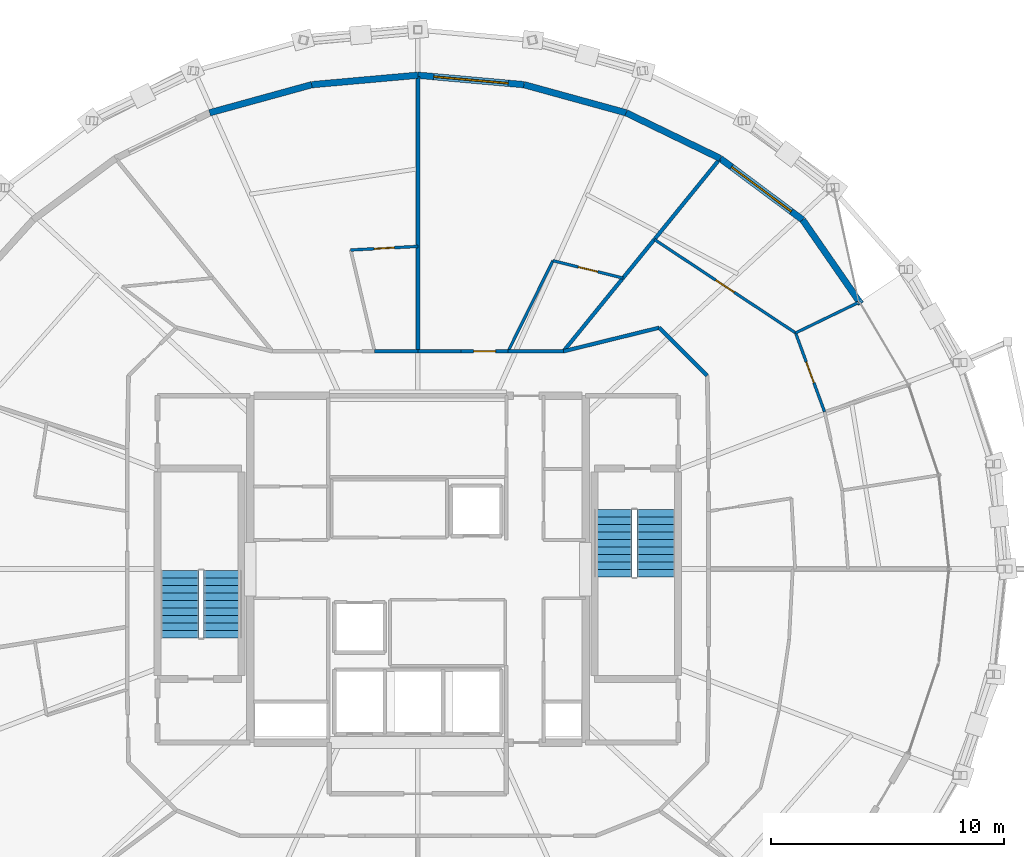
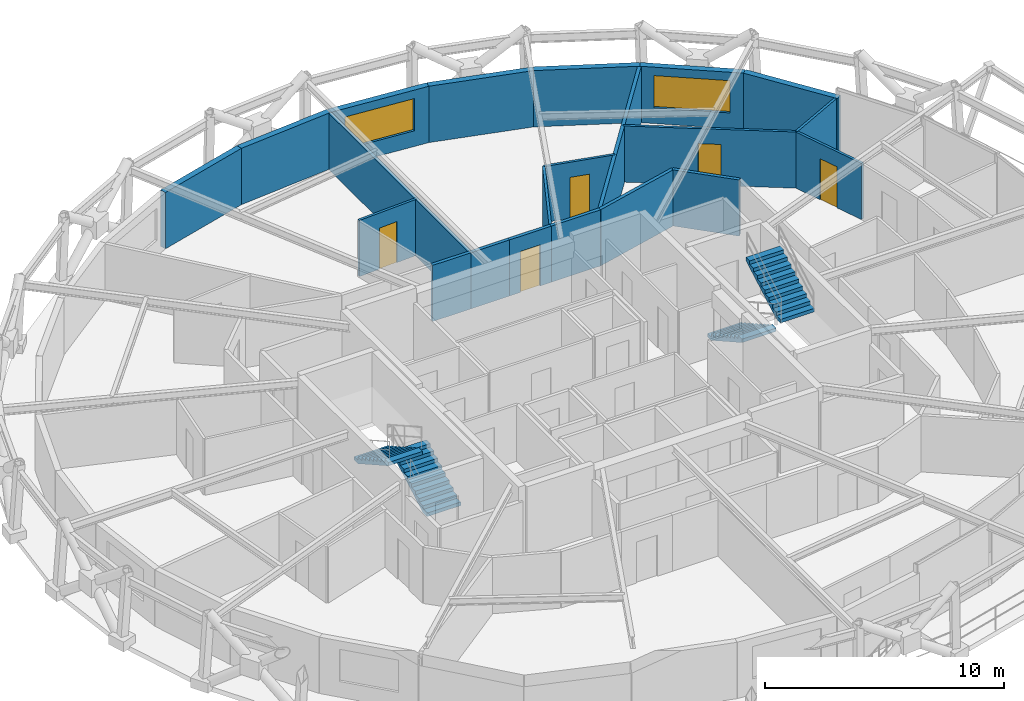
# One storey, part 17 of 18: 21 walls, 5 doors, 4 stair flights, 2 windows, 7 openings, 2 elements without a shape of their own.
"""IFC4 building model written with IfcOpenShell, lengths in metres."""

from ifc_helpers import new_model, si_unit, direction, frame, frame_2d, origin, place, context, subcontext, project, spatial, polyline, rectangle, outline, extrude, material, layer, layer_set, type_object, element, fill, aggregate, save


model = new_model("IFC4")

# Units and contexts
model_context = context("Model", 3, precision=1e-05, world=origin(), true_north=direction((0.0, 1.0)))
body_context = subcontext(model_context, "Body", "Model", "MODEL_VIEW")
ifc_project = project(units=[si_unit("LENGTHUNIT", "METRE"), si_unit("AREAUNIT", "SQUARE_METRE"), si_unit("VOLUMEUNIT", "CUBIC_METRE"), si_unit("PLANEANGLEUNIT", "RADIAN"), si_unit("MASSUNIT", "GRAM", prefix="KILO")], contexts=[model_context])

# Site, building, storey
site_placement = place(None, origin())
site = spatial("IfcSite", under=ifc_project, at=site_placement, CompositionType="ELEMENT")
building_placement = place(site_placement, origin())
building = spatial("IfcBuilding", under=site, at=building_placement, Name="Veldorina Hangang Commons", CompositionType="ELEMENT")
storey_placement = place(building_placement, frame((0.0, 0.0, 218.39990234375)))
storey = spatial("IfcBuildingStorey", under=building, at=storey_placement, Name="L56", CompositionType="ELEMENT", Elevation=218.39990234375)

# Wall
ifc_material_1 = material(Name="Stone Roman Travertine", Category="masonry")
ifc_layer_1 = layer(ifc_material_1, 0.280029296875)
ifc_layer_set_1 = layer_set([ifc_layer_1], Name="Stone Roman Travertine")
wall_type_1 = type_object("IfcWallType", Name="EW-TRAV-280", PredefinedType="STANDARD", material=ifc_layer_set_1)
wall_1_placement = place(storey_placement, frame((51.01708984375, 35.39501953125, 0.0), z_axis=(0.0, 0.0, 1.0), x_axis=(-0.569267957894, 0.822152049267, 0.0)))
element("IfcWall", 1, at=wall_1_placement, inside=storey, type_object=wall_type_1, Name="L56 travertine facade wall 03", PredefinedType="STANDARD", context=body_context, shape_type="SweptSolid", body=[
    extrude(rectangle(XDim=4.379150390625, YDim=0.280029296875, at=frame_2d((2.189453125, 0.0))), origin(), (0.0, 0.0, 1.0), 2.880126953125),
])

# Wall, opening, window
wall_2_placement = place(storey_placement, frame((48.524169921875, 38.995361328125, 0.0), z_axis=(0.0, 0.0, 1.0), x_axis=(-0.802005914902, 0.597316090912, 0.0)))
wall_2 = element("IfcWall", 2, at=wall_2_placement, inside=storey, type_object=wall_type_1, Name="L56 travertine facade wall 04", PredefinedType="STANDARD", context=body_context, shape_type="SweptSolid", body=[
    extrude(rectangle(XDim=4.41552734375, YDim=0.280029296875, at=frame_2d((2.207763671875, 0.0))), origin(), (0.0, 0.0, 1.0), 2.880126953125),
])
opening_1_placement = place(wall_2_placement, frame((0.607666015625, 0.0, 0.800048828125)))
opening_1 = element("IfcOpeningElement", 3, at=opening_1_placement, cuts=wall_2, Name="Opening W-01", PredefinedType="OPENING", context=body_context, shape_type="SweptSolid", body=[
    extrude(rectangle(XDim=3.199951171875, YDim=1.64990234375, at=frame_2d((1.60009765625, 0.824951171875))), frame((0.0, 0.14990234375, 0.0), z_axis=(0.0, -1.0, 0.0), x_axis=(1.0, 0.0, 0.0)), (0.0, 0.0, 1.0), 0.300048828125),
])
ifc_material_2 = material(Name="Glass Low-E Triple IGU", Category="glass")
window_type = type_object("IfcWindowType", Name="WIN-TWR-3200", PartitioningType="SINGLE_PANEL", PredefinedType="WINDOW", material=ifc_material_2)
window_1_placement = place(opening_1_placement, origin())
window_1 = element("IfcWindow", 4, at=window_1_placement, inside=storey, type_object=window_type, Name="L56 facade window 04", OverallHeight=1.64990234375, OverallWidth=3.199951171875, PartitioningType="SINGLE_PANEL", PredefinedType="WINDOW", context=body_context, shape_type="SweptSolid", body=[
    extrude(rectangle(XDim=3.199951171875, YDim=1.64990234375, at=frame_2d((1.60009765625, 0.824951171875))), frame((0.0, 0.030029296875, 0.0), z_axis=(0.0, -1.0, 0.0), x_axis=(1.0, 0.0, 0.0)), (0.0, 0.0, 1.0), 0.06005859375),
])
fill(opening_1, window_1)

# Walls
wall_3_placement = place(storey_placement, frame((44.98291015625, 41.6328125, 0.0), z_axis=(0.0, 0.0, 1.0), x_axis=(-0.899755886265, 0.436393566785, 0.0)))
element("IfcWall", 5, at=wall_3_placement, inside=storey, type_object=wall_type_1, Name="L56 travertine facade wall 05", PredefinedType="STANDARD", context=body_context, shape_type="SweptSolid", body=[
    extrude(rectangle(XDim=4.490234375, YDim=0.280029296875, at=frame_2d((2.2451171875, 0.0))), origin(), (0.0, 0.0, 1.0), 2.880126953125),
])
wall_4_placement = place(storey_placement, frame((40.94287109375, 43.59228515625, 0.0), z_axis=(0.0, 0.0, 1.0), x_axis=(-0.964121606476, 0.265460972511, 0.0)))
element("IfcWall", 6, at=wall_4_placement, inside=storey, type_object=wall_type_1, Name="L56 travertine facade wall 06", PredefinedType="STANDARD", context=body_context, shape_type="SweptSolid", body=[
    extrude(rectangle(XDim=4.546875, YDim=0.280029296875, at=frame_2d((2.2734375, 0.0))), origin(), (0.0, 0.0, 1.0), 2.880126953125),
])

# Wall, opening, window
wall_5_placement = place(storey_placement, frame((36.55908203125, 44.79931640625, 0.0), z_axis=(0.0, 0.0, 1.0), x_axis=(-0.996029770712, 0.089020760807, 0.0)))
wall_5 = element("IfcWall", 7, at=wall_5_placement, inside=storey, type_object=wall_type_1, Name="L56 travertine facade wall 07", PredefinedType="STANDARD", context=body_context, shape_type="SweptSolid", body=[
    extrude(rectangle(XDim=4.5771484375, YDim=0.280029296875, at=frame_2d((2.28857421875, 0.0))), origin(), (0.0, 0.0, 1.0), 2.880126953125),
])
opening_2_placement = place(wall_5_placement, frame((0.688720703125, 0.0, 0.800048828125)))
opening_2 = element("IfcOpeningElement", 8, at=opening_2_placement, cuts=wall_5, Name="Opening W-01", PredefinedType="OPENING", context=body_context, shape_type="SweptSolid", body=[
    extrude(rectangle(XDim=3.199951171875, YDim=1.64990234375, at=frame_2d((1.60009765625, 0.824951171875))), frame((0.0, 0.14990234375, 0.0), z_axis=(0.0, -1.0, 0.0), x_axis=(1.0, 0.0, 0.0)), (0.0, 0.0, 1.0), 0.300048828125),
])
window_2_placement = place(opening_2_placement, origin())
window_2 = element("IfcWindow", 9, at=window_2_placement, inside=storey, type_object=window_type, Name="L56 facade window 07", OverallHeight=1.64990234375, OverallWidth=3.199951171875, PartitioningType="SINGLE_PANEL", PredefinedType="WINDOW", context=body_context, shape_type="SweptSolid", body=[
    extrude(rectangle(XDim=3.199951171875, YDim=1.64990234375, at=frame_2d((1.60009765625, 0.824951171875))), frame((0.0, 0.030029296875, 0.0), z_axis=(0.0, -1.0, 0.0), x_axis=(1.0, 0.0, 0.0)), (0.0, 0.0, 1.0), 0.06005859375),
])
fill(opening_2, window_2)

# Walls
wall_6_placement = place(storey_placement, frame((32.0, 45.206787109375, 0.0), z_axis=(0.0, 0.0, 1.0), x_axis=(-0.996029770712, -0.089020760807, 0.0)))
element("IfcWall", 10, at=wall_6_placement, inside=storey, type_object=wall_type_1, Name="L56 travertine facade wall 08", PredefinedType="STANDARD", context=body_context, shape_type="SweptSolid", body=[
    extrude(rectangle(XDim=4.5771484375, YDim=0.280029296875, at=frame_2d((2.28857421875, 0.0))), origin(), (0.0, 0.0, 1.0), 2.880126953125),
])
wall_7_placement = place(storey_placement, frame((27.44091796875, 44.79931640625, 0.0), z_axis=(0.0, 0.0, 1.0), x_axis=(-0.964121606476, -0.265460972511, 0.0)))
element("IfcWall", 11, at=wall_7_placement, inside=storey, type_object=wall_type_1, Name="L56 travertine facade wall 09", PredefinedType="STANDARD", context=body_context, shape_type="SweptSolid", body=[
    extrude(rectangle(XDim=4.546875, YDim=0.280029296875, at=frame_2d((2.2734375, 0.0))), origin(), (0.0, 0.0, 1.0), 2.880126953125),
])
ifc_material_3 = material(Name="Gypsum Fire-Rated Twin Stud Wall", Category="gypsum")
ifc_layer_2 = layer(ifc_material_3, 0.159912109375)
ifc_layer_set_2 = layer_set([ifc_layer_2], Name="Gypsum Fire-Rated Twin Stud Wall")
wall_type_2 = type_object("IfcWallType", Name="WL-FIRE-160", PredefinedType="SOLIDWALL", material=ifc_layer_set_2)
wall_8_placement = place(storey_placement, frame((44.4267578125, 32.30322265625, 0.0), z_axis=(0.0, 0.0, 1.0), x_axis=(-0.707106781187, 0.707106781187, 0.0)))
element("IfcWall", 12, at=wall_8_placement, inside=storey, type_object=wall_type_2, Name="L56 Compact collar outer wall 03 055", PredefinedType="SOLIDWALL", context=body_context, shape_type="SweptSolid", body=[
    extrude(rectangle(XDim=2.915771484375, YDim=0.159912109375, at=frame_2d((1.4580078125, 0.0))), origin(), (0.0, 0.0, 1.0), 2.8701171875),
])
wall_9_placement = place(storey_placement, frame((42.364990234375, 34.364990234375, 0.0), z_axis=(0.0, 0.0, 1.0), x_axis=(-0.970939799552, -0.239323850978, 0.0)))
element("IfcWall", 13, at=wall_9_placement, inside=storey, type_object=wall_type_2, Name="L56 Compact collar outer wall 04 056", PredefinedType="SOLIDWALL", context=body_context, shape_type="SweptSolid", body=[
    extrude(rectangle(XDim=4.24072265625, YDim=0.159912109375, at=frame_2d((2.120361328125, 0.0))), origin(), (0.0, 0.0, 1.0), 2.8701171875),
])
wall_10_placement = place(storey_placement, frame((38.24755859375, 33.35009765625, 0.0), z_axis=(0.0, 0.0, 1.0), x_axis=(-1.0, 0.0, 0.0)))
element("IfcWall", 14, at=wall_10_placement, inside=storey, type_object=wall_type_2, Name="L56 Compact collar outer wall 05 057", PredefinedType="SOLIDWALL", context=body_context, shape_type="SweptSolid", body=[
    extrude(rectangle(XDim=2.374755859375, YDim=0.159912109375, at=frame_2d((1.1875, 0.0))), origin(), (0.0, 0.0, 1.0), 2.8701171875),
])

# Wall, opening, door
wall_11_placement = place(storey_placement, frame((35.872802734375, 33.35009765625, 0.0), z_axis=(0.0, 0.0, 1.0), x_axis=(-1.0, 0.0, 0.0)))
wall_11 = element("IfcWall", 15, at=wall_11_placement, inside=storey, type_object=wall_type_2, Name="L56 Compact collar outer wall 06 058", PredefinedType="SOLIDWALL", context=body_context, shape_type="SweptSolid", body=[
    extrude(rectangle(XDim=2.012939453125, YDim=0.159912109375, at=frame_2d((1.00634765625, 0.0))), origin(), (0.0, 0.0, 1.0), 2.8701171875),
])
opening_3_placement = place(wall_11_placement, frame((0.531494140625, 0.0, 0.0)))
opening_3 = element("IfcOpeningElement", 16, at=opening_3_placement, cuts=wall_11, Name="Opening D-03", PredefinedType="OPENING", context=body_context, shape_type="SweptSolid", body=[
    extrude(rectangle(XDim=0.949951171875, YDim=2.10009765625, at=frame_2d((0.47509765625, 1.050048828125))), frame((0.0, 0.08984375, 0.0), z_axis=(0.0, -1.0, 0.0), x_axis=(1.0, 0.0, 0.0)), (0.0, 0.0, 1.0), 0.179931640625),
])
ifc_material_4 = material(Name="Timber Fire-Rated Entrance Core", Category="wood")
door_type_1 = type_object("IfcDoorType", Name="DR-UNIT-950", OperationType="SINGLE_SWING_RIGHT", PredefinedType="DOOR", material=ifc_material_4)
door_1_placement = place(opening_3_placement, origin())
door_1 = element("IfcDoor", 17, at=door_1_placement, inside=storey, type_object=door_type_1, Name="L56 Studio 3 entrance door 029", OperationType="SINGLE_SWING_LEFT", OverallHeight=2.10009765625, OverallWidth=0.949951171875, PredefinedType="DOOR", context=body_context, shape_type="SweptSolid", body=[
    extrude(rectangle(XDim=0.949951171875, YDim=2.10009765625, at=frame_2d((0.47509765625, 1.050048828125))), frame((0.0, 0.02490234375, 0.0), z_axis=(0.0, -1.0, 0.0), x_axis=(1.0, 0.0, 0.0)), (0.0, 0.0, 1.0), 0.050048828125),
])
fill(opening_3, door_1)

# Walls
for number, where, z_axis, x_axis, name in (
    (18, (33.85986328125, 33.35009765625, 0.0), (0.0, 0.0, 1.0), (-1.0, 0.0, 0.0), "L56 Compact collar outer wall 07 059"),
    (19, (32.0, 33.35009765625, 0.0), (0.0, 0.0, 1.0), (-1.0, 0.0, 0.0), "L56 Compact collar outer wall 08 060"),
):
    element("IfcWall", number, at=place(storey_placement, frame(where, z_axis=z_axis, x_axis=x_axis)), inside=storey, type_object=wall_type_2, Name=name, PredefinedType="SOLIDWALL", context=body_context, shape_type="SweptSolid", body=[
        extrude(rectangle(XDim=1.85986328125, YDim=0.159912109375, at=frame_2d((0.929931640625, 0.0))), origin(), (0.0, 0.0, 1.0), 2.8701171875),
    ])
wall_12_placement = place(storey_placement, frame((38.24755859375, 33.35009765625, 0.0), z_axis=(0.0, 0.0, 1.0), x_axis=(0.630915216518, 0.775851783246, 0.0)))
element("IfcWall", 20, at=wall_12_placement, inside=storey, type_object=wall_type_2, Name="L56 Unit party wall 05 099", PredefinedType="SOLIDWALL", context=body_context, shape_type="SweptSolid", body=[
    extrude(rectangle(XDim=10.62548828125, YDim=0.159912109375, at=frame_2d((5.312744140625, 0.0))), origin(), (0.0, 0.0, 1.0), 2.8701171875),
])
wall_13_placement = place(storey_placement, frame((32.0, 33.35009765625, 0.0), z_axis=(0.0, 0.0, 1.0), x_axis=(0.0, 1.0, 0.0)))
element("IfcWall", 21, at=wall_13_placement, inside=storey, type_object=wall_type_2, Name="L56 Unit party wall 08 102", PredefinedType="SOLIDWALL", context=body_context, shape_type="SweptSolid", body=[
    extrude(rectangle(XDim=11.806640625, YDim=0.159912109375, at=frame_2d((5.9033203125, 0.0))), origin(), (0.0, 0.0, 1.0), 2.8701171875),
])

# Wall, opening, door
ifc_material_5 = material(Name="Gypsum Acoustic Stud Partition", Category="gypsum")
ifc_layer_3 = layer(ifc_material_5, 0.1201171875)
ifc_layer_set_3 = layer_set([ifc_layer_3], Name="Gypsum Acoustic Stud Partition")
wall_type_3 = type_object("IfcWallType", Name="WL-PART-120", PredefinedType="PARTITIONING", material=ifc_layer_set_3)
wall_14_placement = place(storey_placement, frame((49.463623046875, 30.75390625, 0.0), z_axis=(0.0, 0.0, 1.0), x_axis=(-0.345027950541, 0.938592410659, 0.0)))
wall_14 = element("IfcWall", 22, at=wall_14_placement, inside=storey, type_object=wall_type_3, Name="L56 Cluster 2 bed 3 front wall 095", PredefinedType="PARTITIONING", context=body_context, shape_type="SweptSolid", body=[
    extrude(rectangle(XDim=3.608154296875, YDim=0.1201171875, at=frame_2d((1.80419921875, 0.0))), origin(), (0.0, 0.0, 1.0), 2.8701171875),
])
opening_4_placement = place(wall_14_placement, frame((1.3291015625, 0.0, 0.0)))
opening_4 = element("IfcOpeningElement", 23, at=opening_4_placement, cuts=wall_14, Name="Opening D-02", PredefinedType="OPENING", context=body_context, shape_type="SweptSolid", body=[
    extrude(rectangle(XDim=0.949951171875, YDim=2.10009765625, at=frame_2d((0.47509765625, 1.050048828125))), frame((0.0, 0.070068359375, 0.0), z_axis=(0.0, -1.0, 0.0), x_axis=(1.0, 0.0, 0.0)), (0.0, 0.0, 1.0), 0.14013671875),
])
ifc_material_6 = material(Name="Timber Solid Core Acoustic", Category="wood")
door_type_2 = type_object("IfcDoorType", Name="DR-INT-950", OperationType="SINGLE_SWING_LEFT", PredefinedType="DOOR", material=ifc_material_6)
door_2_placement = place(opening_4_placement, origin())
door_2 = element("IfcDoor", 24, at=door_2_placement, inside=storey, type_object=door_type_2, Name="L56 Cluster 2 bed 3 door 026", OperationType="SINGLE_SWING_RIGHT", OverallHeight=2.10009765625, OverallWidth=0.949951171875, PredefinedType="DOOR", context=body_context, shape_type="SweptSolid", body=[
    extrude(rectangle(XDim=0.949951171875, YDim=2.10009765625, at=frame_2d((0.47509765625, 1.050048828125))), frame((0.0, 0.02490234375, 0.0), z_axis=(0.0, -1.0, 0.0), x_axis=(1.0, 0.0, 0.0)), (0.0, 0.0, 1.0), 0.050048828125),
])
fill(opening_4, door_2)

wall_15_placement = place(storey_placement, frame((48.21875, 34.140380859375, 0.0), z_axis=(0.0, 0.0, 1.0), x_axis=(-0.833915165303, 0.551892649957, 0.0)))
wall_15 = element("IfcWall", 25, at=wall_15_placement, inside=storey, type_object=wall_type_3, Name="L56 Cluster 2 bed 4 front wall 097", PredefinedType="PARTITIONING", context=body_context, shape_type="SweptSolid", body=[
    extrude(rectangle(XDim=7.2724609375, YDim=0.1201171875, at=frame_2d((3.63623046875, 0.0))), origin(), (0.0, 0.0, 1.0), 2.8701171875),
])
opening_5_placement = place(wall_15_placement, frame((3.1611328125, 0.0, 0.0)))
opening_5 = element("IfcOpeningElement", 26, at=opening_5_placement, cuts=wall_15, Name="Opening D-02", PredefinedType="OPENING", context=body_context, shape_type="SweptSolid", body=[
    extrude(rectangle(XDim=0.949951171875, YDim=2.10009765625, at=frame_2d((0.47509765625, 1.050048828125))), frame((0.0, 0.070068359375, 0.0), z_axis=(0.0, -1.0, 0.0), x_axis=(1.0, 0.0, 0.0)), (0.0, 0.0, 1.0), 0.14013671875),
])
door_3_placement = place(opening_5_placement, origin())
door_3 = element("IfcDoor", 27, at=door_3_placement, inside=storey, type_object=door_type_2, Name="L56 Cluster 2 bed 4 door 027", OperationType="SINGLE_SWING_LEFT", OverallHeight=2.10009765625, OverallWidth=0.949951171875, PredefinedType="DOOR", context=body_context, shape_type="SweptSolid", body=[
    extrude(rectangle(XDim=0.949951171875, YDim=2.10009765625, at=frame_2d((0.47509765625, 1.050048828125))), frame((0.0, 0.02490234375, 0.0), z_axis=(0.0, -1.0, 0.0), x_axis=(1.0, 0.0, 0.0)), (0.0, 0.0, 1.0), 0.050048828125),
])
fill(opening_5, door_3)

# Wall
wall_16_placement = place(storey_placement, frame((48.21875, 34.140380859375, 0.0), z_axis=(0.0, 0.0, 1.0), x_axis=(0.899937935562, 0.436018018133, 0.0)))
element("IfcWall", 28, at=wall_16_placement, inside=storey, type_object=wall_type_3, Name="L56 Cluster 2 bed divider 3 098", PredefinedType="PARTITIONING", context=body_context, shape_type="SweptSolid", body=[
    extrude(rectangle(XDim=3.001220703125, YDim=0.1201171875, at=frame_2d((1.50048828125, 0.0))), origin(), (0.0, 0.0, 1.0), 2.8701171875),
])

# Wall, opening, door
wall_17_placement = place(storey_placement, frame((40.806884765625, 36.497314453125, 0.0), z_axis=(0.0, 0.0, 1.0), x_axis=(-0.970668626589, 0.240421332986, 0.0)))
wall_17 = element("IfcWall", 29, at=wall_17_placement, inside=storey, type_object=wall_type_3, Name="L56 Studio 3 bath front wall 100", PredefinedType="PARTITIONING", context=body_context, shape_type="SweptSolid", body=[
    extrude(rectangle(XDim=3.09814453125, YDim=0.1201171875, at=frame_2d((1.549072265625, 0.0))), origin(), (0.0, 0.0, 1.0), 2.8701171875),
])
opening_6_placement = place(wall_17_placement, frame((1.119140625, 0.0, 0.0)))
opening_6 = element("IfcOpeningElement", 30, at=opening_6_placement, cuts=wall_17, Name="Opening D-01", PredefinedType="OPENING", context=body_context, shape_type="SweptSolid", body=[
    extrude(rectangle(XDim=0.860107421875, YDim=2.10009765625, at=frame_2d((0.43017578125, 1.050048828125))), frame((0.0, 0.070068359375, 0.0), z_axis=(0.0, -1.0, 0.0), x_axis=(1.0, 0.0, 0.0)), (0.0, 0.0, 1.0), 0.14013671875),
])
ifc_material_7 = material(Name="Timber Moisture-Resistant Core", Category="wood")
door_type_3 = type_object("IfcDoorType", Name="DR-WET-860", OperationType="SINGLE_SWING_LEFT", PredefinedType="DOOR", material=ifc_material_7)
door_4_placement = place(opening_6_placement, origin())
door_4 = element("IfcDoor", 31, at=door_4_placement, inside=storey, type_object=door_type_3, Name="L56 Studio 3 bathroom door 028", OperationType="SINGLE_SWING_RIGHT", OverallHeight=2.10009765625, OverallWidth=0.860107421875, PredefinedType="DOOR", context=body_context, shape_type="SweptSolid", body=[
    extrude(rectangle(XDim=0.860107421875, YDim=2.10009765625, at=frame_2d((0.43017578125, 1.050048828125))), frame((0.0, 0.02490234375, 0.0), z_axis=(0.0, -1.0, 0.0), x_axis=(1.0, 0.0, 0.0)), (0.0, 0.0, 1.0), 0.050048828125),
])
fill(opening_6, door_4)

# Wall
wall_18_placement = place(storey_placement, frame((35.872802734375, 33.35009765625, 0.0), z_axis=(0.0, 0.0, 1.0), x_axis=(0.443657211788, 0.896196562384, 0.0)))
element("IfcWall", 32, at=wall_18_placement, inside=storey, type_object=wall_type_3, Name="L56 Studio 3 bath side wall 101", PredefinedType="PARTITIONING", context=body_context, shape_type="SweptSolid", body=[
    extrude(rectangle(XDim=4.343017578125, YDim=0.1201171875, at=frame_2d((2.17138671875, 0.0))), origin(), (0.0, 0.0, 1.0), 2.8701171875),
])

# Wall, opening, door
wall_19_placement = place(storey_placement, frame((32.0, 37.85546875, 0.0), z_axis=(0.0, 0.0, 1.0), x_axis=(-0.998564341908, -0.053565427935, 0.0)))
wall_19 = element("IfcWall", 33, at=wall_19_placement, inside=storey, type_object=wall_type_3, Name="L56 Studio 4 bath front wall 103", PredefinedType="PARTITIONING", context=body_context, shape_type="SweptSolid", body=[
    extrude(rectangle(XDim=2.8896484375, YDim=0.1201171875, at=frame_2d((1.44482421875, 0.0))), origin(), (0.0, 0.0, 1.0), 2.8701171875),
])
opening_7_placement = place(wall_19_placement, frame((1.014892578125, 0.0, 0.0)))
opening_7 = element("IfcOpeningElement", 34, at=opening_7_placement, cuts=wall_19, Name="Opening D-01", PredefinedType="OPENING", context=body_context, shape_type="SweptSolid", body=[
    extrude(rectangle(XDim=0.860107421875, YDim=2.10009765625, at=frame_2d((0.43017578125, 1.050048828125))), frame((0.0, 0.070068359375, 0.0), z_axis=(0.0, -1.0, 0.0), x_axis=(1.0, 0.0, 0.0)), (0.0, 0.0, 1.0), 0.14013671875),
])
door_5_placement = place(opening_7_placement, origin())
door_5 = element("IfcDoor", 35, at=door_5_placement, inside=storey, type_object=door_type_3, Name="L56 Studio 4 bathroom door 030", OperationType="SINGLE_SWING_RIGHT", OverallHeight=2.10009765625, OverallWidth=0.860107421875, PredefinedType="DOOR", context=body_context, shape_type="SweptSolid", body=[
    extrude(rectangle(XDim=0.860107421875, YDim=2.10009765625, at=frame_2d((0.43017578125, 1.050048828125))), frame((0.0, 0.02490234375, 0.0), z_axis=(0.0, -1.0, 0.0), x_axis=(1.0, 0.0, 0.0)), (0.0, 0.0, 1.0), 0.050048828125),
])
fill(opening_7, door_5)

# Stair, stair flights
ifc_material_8 = material(Name="Concrete C40/50", Category="concrete")
stair_type = type_object("IfcStairType", Name="STR-DOG-1650-20R", PredefinedType="HALF_TURN_STAIR", material=ifc_material_8)
stair_1_placement = place(storey_placement, origin())
stair_1 = element("IfcStair", 36, at=stair_1_placement, inside=storey, type_object=stair_type, Name="L56 Exit stair ST-1", PredefinedType="HALF_TURN_STAIR")
stair_flight_type = type_object("IfcStairFlightType", Name="SFL-STR-1650-20R", PredefinedType="STRAIGHT", material=ifc_material_8)
stair_flight_1_placement = place(storey_placement, frame((23.625, 21.050048828125, 0.0), z_axis=(0.0, 0.0, 1.0), x_axis=(0.0, 1.0, 0.0)))
stair_flight_1 = element("IfcStairFlight", 37, at=stair_flight_1_placement, type_object=stair_flight_type, Name="ST-1 flight 1", NumberOfRisers=10, NumberOfTreads=9, PredefinedType="STRAIGHT", RiserHeight=0.18, TreadLength=0.32, context=body_context, shape_type="SweptSolid", body=[
    extrude(outline(polyline([(0.0, 0.0), (0.0, 0.179931640625), (0.320068359375, 0.179931640625), (0.320068359375, 0.360107421875), (0.639892578125, 0.360107421875), (0.639892578125, 0.5400390625), (0.9599609375, 0.5400390625), (0.9599609375, 0.719970703125), (1.280029296875, 0.719970703125), (1.280029296875, 0.89990234375), (1.60009765625, 0.89990234375), (1.60009765625, 1.080078125), (1.919921875, 1.080078125), (1.919921875, 1.260009765625), (2.239990234375, 1.260009765625), (2.239990234375, 1.43994140625), (2.56005859375, 1.43994140625), (2.56005859375, 1.6201171875), (2.8798828125, 1.6201171875), (2.8798828125, 1.800048828125), (2.8798828125, 1.447998046875), (0.3056640625, 0.0), (0.0, 0.0)])), frame((0.0, 0.824951171875, 0.0), z_axis=(0.0, -1.0, 0.0), x_axis=(1.0, 0.0, 0.0)), (0.0, 0.0, 1.0), 1.64990234375),
])
stair_flight_2_placement = place(storey_placement, frame((21.77490234375, 23.929931640625, 1.800048828125), z_axis=(0.0, 0.0, 1.0), x_axis=(0.0, -1.0, 0.0)))
stair_flight_2 = element("IfcStairFlight", 38, at=stair_flight_2_placement, type_object=stair_flight_type, Name="ST-1 flight 2", NumberOfRisers=10, NumberOfTreads=9, PredefinedType="STRAIGHT", RiserHeight=0.18, TreadLength=0.32, context=body_context, shape_type="SweptSolid", body=[
    extrude(outline(polyline([(0.0, 0.0), (0.0, 0.179931640625), (0.320068359375, 0.179931640625), (0.320068359375, 0.360107421875), (0.639892578125, 0.360107421875), (0.639892578125, 0.5400390625), (0.9599609375, 0.5400390625), (0.9599609375, 0.719970703125), (1.280029296875, 0.719970703125), (1.280029296875, 0.89990234375), (1.60009765625, 0.89990234375), (1.60009765625, 1.080078125), (1.919921875, 1.080078125), (1.919921875, 1.260009765625), (2.239990234375, 1.260009765625), (2.239990234375, 1.43994140625), (2.56005859375, 1.43994140625), (2.56005859375, 1.6201171875), (2.8798828125, 1.6201171875), (2.8798828125, 1.800048828125), (2.8798828125, 1.447998046875), (0.3056640625, 0.0), (0.0, 0.0)])), frame((0.0, 0.824951171875, 0.0), z_axis=(0.0, -1.0, 0.0), x_axis=(1.0, 0.0, 0.0)), (0.0, 0.0, 1.0), 1.64990234375),
])
aggregate(stair_1, [stair_flight_1, stair_flight_2])

stair_2_placement = place(storey_placement, origin())
stair_2 = element("IfcStair", 39, at=stair_2_placement, inside=storey, type_object=stair_type, Name="L56 Exit stair ST-2", PredefinedType="HALF_TURN_STAIR")
stair_flight_3_placement = place(storey_placement, frame((40.375, 26.550048828125, 0.0), z_axis=(0.0, 0.0, 1.0), x_axis=(0.0, -1.0, 0.0)))
stair_flight_3 = element("IfcStairFlight", 40, at=stair_flight_3_placement, type_object=stair_flight_type, Name="ST-2 flight 1", NumberOfRisers=10, NumberOfTreads=9, PredefinedType="STRAIGHT", RiserHeight=0.18, TreadLength=0.32, context=body_context, shape_type="SweptSolid", body=[
    extrude(outline(polyline([(0.0, 0.0), (0.0, 0.179931640625), (0.320068359375, 0.179931640625), (0.320068359375, 0.360107421875), (0.639892578125, 0.360107421875), (0.639892578125, 0.5400390625), (0.9599609375, 0.5400390625), (0.9599609375, 0.719970703125), (1.280029296875, 0.719970703125), (1.280029296875, 0.89990234375), (1.60009765625, 0.89990234375), (1.60009765625, 1.080078125), (1.919921875, 1.080078125), (1.919921875, 1.260009765625), (2.239990234375, 1.260009765625), (2.239990234375, 1.43994140625), (2.56005859375, 1.43994140625), (2.56005859375, 1.6201171875), (2.8798828125, 1.6201171875), (2.8798828125, 1.800048828125), (2.8798828125, 1.447998046875), (0.3056640625, 0.0), (0.0, 0.0)])), frame((0.0, 0.824951171875, 0.0), z_axis=(0.0, -1.0, 0.0), x_axis=(1.0, 0.0, 0.0)), (0.0, 0.0, 1.0), 1.64990234375),
])
stair_flight_4_placement = place(storey_placement, frame((42.22509765625, 23.669921875, 1.800048828125), z_axis=(0.0, 0.0, 1.0), x_axis=(0.0, 1.0, 0.0)))
stair_flight_4 = element("IfcStairFlight", 41, at=stair_flight_4_placement, type_object=stair_flight_type, Name="ST-2 flight 2", NumberOfRisers=10, NumberOfTreads=9, PredefinedType="STRAIGHT", RiserHeight=0.18, TreadLength=0.32, context=body_context, shape_type="SweptSolid", body=[
    extrude(outline(polyline([(0.0, 0.0), (0.0, 0.179931640625), (0.320068359375, 0.179931640625), (0.320068359375, 0.360107421875), (0.639892578125, 0.360107421875), (0.639892578125, 0.5400390625), (0.9599609375, 0.5400390625), (0.9599609375, 0.719970703125), (1.280029296875, 0.719970703125), (1.280029296875, 0.89990234375), (1.60009765625, 0.89990234375), (1.60009765625, 1.080078125), (1.919921875, 1.080078125), (1.919921875, 1.260009765625), (2.239990234375, 1.260009765625), (2.239990234375, 1.43994140625), (2.56005859375, 1.43994140625), (2.56005859375, 1.6201171875), (2.8798828125, 1.6201171875), (2.8798828125, 1.800048828125), (2.8798828125, 1.447998046875), (0.3056640625, 0.0), (0.0, 0.0)])), frame((0.0, 0.824951171875, 0.0), z_axis=(0.0, -1.0, 0.0), x_axis=(1.0, 0.0, 0.0)), (0.0, 0.0, 1.0), 1.64990234375),
])
aggregate(stair_2, [stair_flight_3, stair_flight_4])

save(model, "model.ifc")
